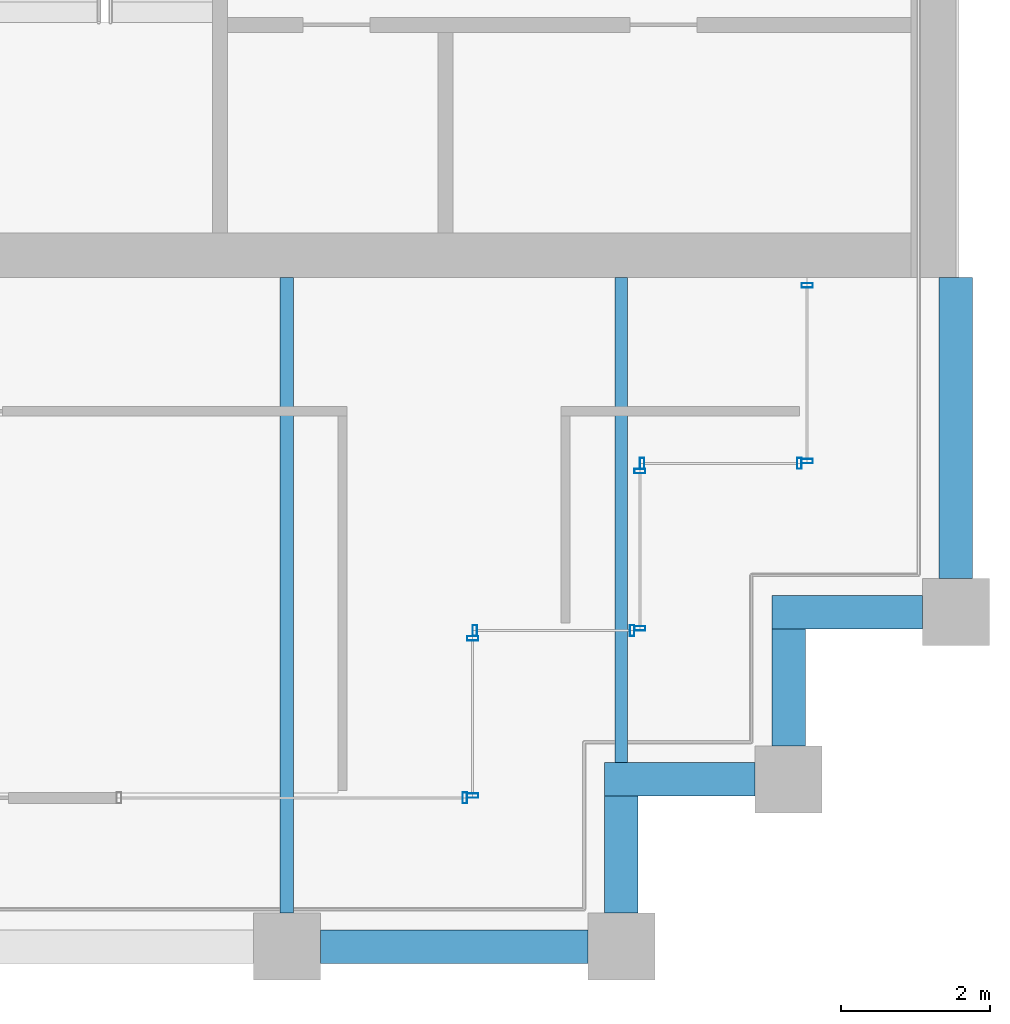
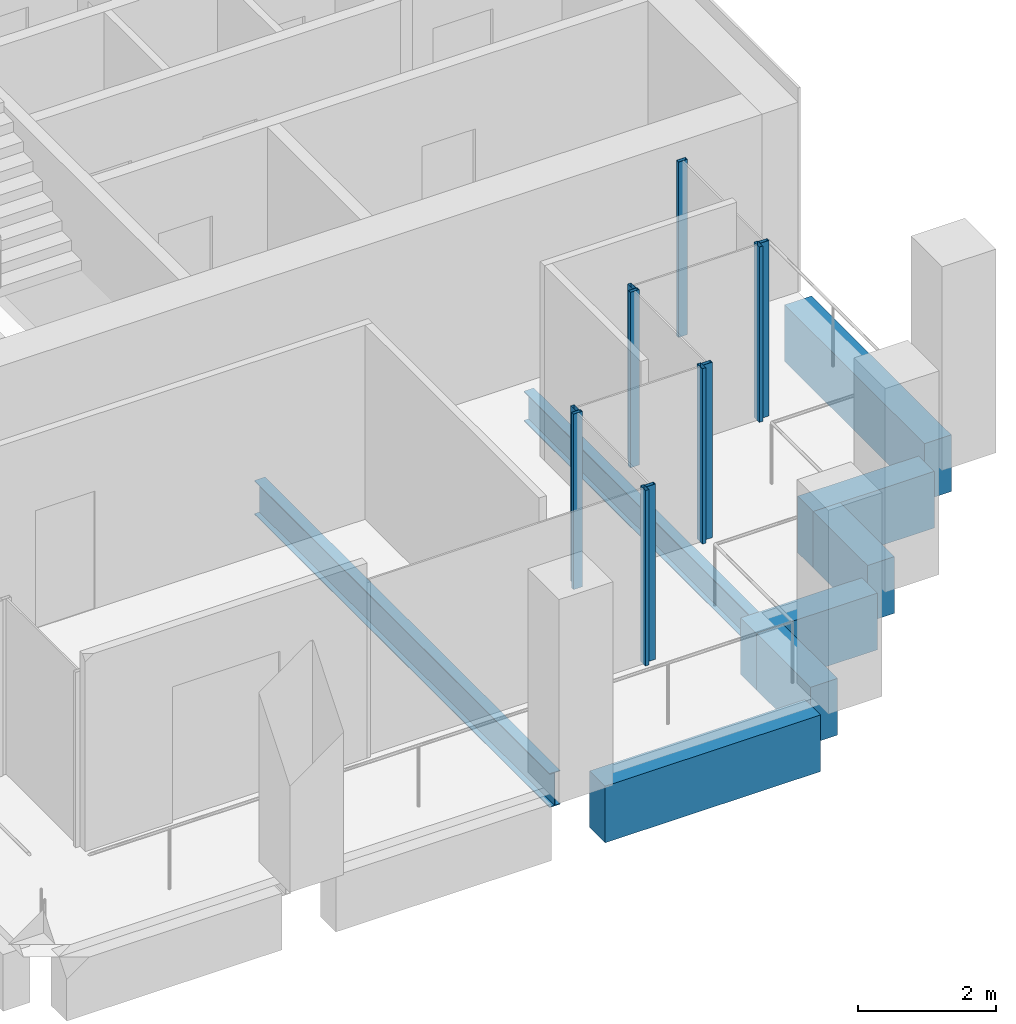
# One storey, part 31 of 40: 11 members, 8 beams, 6 elements without a shape of their own.
"""IFC4 building model written with IfcOpenShell, lengths in metres."""

from ifc_helpers import new_model, si_unit, direction, frame, origin, origin_2d, place, context, subcontext, project, spatial, rectangle, hollow_rectangle, i_section, extrude, material, material_profile, profile_set, type_object, element, aggregate, save


model = new_model("IFC4")

# Units and contexts
model_context = context("Model", 3, precision=1e-05, world=origin(), true_north=direction((0.0, 1.0)))
body_context = subcontext(model_context, "Body", "Model", "MODEL_VIEW")
ifc_project = project(units=[si_unit("LENGTHUNIT", "METRE"), si_unit("AREAUNIT", "SQUARE_METRE"), si_unit("VOLUMEUNIT", "CUBIC_METRE"), si_unit("PLANEANGLEUNIT", "RADIAN"), si_unit("MASSUNIT", "GRAM", prefix="KILO")], contexts=[model_context])

# Site, building, storey
site_placement = place(None, origin())
site = spatial("IfcSite", under=ifc_project, at=site_placement, CompositionType="ELEMENT")
building_placement = place(site_placement, origin())
building = spatial("IfcBuilding", under=site, at=building_placement, Name="Altepetl Exchange Towers", CompositionType="ELEMENT")
storey_placement = place(building_placement, frame((0.0, 0.0, 165.39990234375)))
storey = spatial("IfcBuildingStorey", under=building, at=storey_placement, Name="L41", CompositionType="ELEMENT", Elevation=165.39990234375)

# Beams
ifc_material_1 = material(Name="Steel S355", Category="steel")
ifc_material_profile_1 = material_profile(ifc_material_1, i_section(OverallWidth=0.166015625, OverallDepth=0.529052734375, WebThickness=0.009765625, FlangeThickness=0.013671875, at=origin_2d()), Name="W21X50")
ifc_profile_set_1 = profile_set([ifc_material_profile_1], Name="Steel S355")
beam_type_1 = type_object("IfcBeamType", Name="Floor beam W21X50", PredefinedType="BEAM", material=ifc_profile_set_1)
beam_1_placement = place(storey_placement, frame((112.5, 29.47509765625, -0.414306640625), z_axis=(0.0, 1.0, 0.0), x_axis=(-1.0, 0.0, 0.0)))
element("IfcBeam", 1, at=beam_1_placement, inside=storey, type_object=beam_type_1, Name="bm:B:L41:003", PredefinedType="BEAM", context=body_context, shape_type="SweptSolid", body=[
    extrude(i_section(OverallWidth=0.166015625, OverallDepth=0.529052734375, WebThickness=0.009765625, FlangeThickness=0.013671875, at=origin_2d()), origin(), (0.0, 0.0, 1.0), 6.52490234375),
])
ifc_material_profile_2 = material_profile(ifc_material_1, i_section(OverallWidth=0.177978515625, OverallDepth=0.59912109375, WebThickness=0.010009765625, FlangeThickness=0.0126953125, at=origin_2d()), Name="W24X55")
ifc_profile_set_2 = profile_set([ifc_material_profile_2], Name="Steel S355")
beam_type_2 = type_object("IfcBeamType", Name="Floor beam W24X55", PredefinedType="BEAM", material=ifc_profile_set_2)
beam_2_placement = place(storey_placement, frame((108.0, 27.449951171875, -0.449462890625), z_axis=(0.0, 1.0, 0.0), x_axis=(-1.0, 0.0, 0.0)))
element("IfcBeam", 2, at=beam_2_placement, inside=storey, type_object=beam_type_2, Name="bm:B:L41:002", PredefinedType="BEAM", context=body_context, shape_type="SweptSolid", body=[
    extrude(i_section(OverallWidth=0.177978515625, OverallDepth=0.59912109375, WebThickness=0.010009765625, FlangeThickness=0.0126953125, at=origin_2d()), origin(), (0.0, 0.0, 1.0), 8.550048828125),
])

# Curtain wall, member
ifc_material_2 = material(Name="Aluminium 6063-T6 glazing", Category="aluminium")
curtain_wall_type = type_object("IfcCurtainWallType", Name="Loggia glazing system", PredefinedType="NOTDEFINED", material=ifc_material_2)
curtain_wall_1_placement = place(storey_placement, origin())
curtain_wall_1 = element("IfcCurtainWall", 3, at=curtain_wall_1_placement, inside=storey, type_object=curtain_wall_type, Name="CW1 run", PredefinedType="NOTDEFINED")
ifc_material_3 = material(Name="Aluminium 6063-T6", Category="aluminium")
ifc_material_profile_3 = material_profile(ifc_material_3, hollow_rectangle(XDim=0.06005859375, YDim=0.14990234375, WallThickness=0.0029296875, at=origin_2d()), Name="Mullion 60x150 aluminium")
ifc_profile_set_3 = profile_set([ifc_material_profile_3], Name="Aluminium 6063-T6")
member_type = type_object("IfcMemberType", Name="Mullion 60x150 aluminium", PredefinedType="MULLION", material=ifc_profile_set_3)
member_1_placement = place(storey_placement, frame((110.39501953125, 29.0, 0.0)))
member_1 = element("IfcMember", 4, at=member_1_placement, type_object=member_type, Name="MU1 mullion", PredefinedType="MULLION", context=body_context, shape_type="SweptSolid", body=[
    extrude(hollow_rectangle(XDim=0.06005859375, YDim=0.14990234375, WallThickness=0.0029296875, at=origin_2d()), origin(), (0.0, 0.0, 1.0), 3.10009765625),
])
aggregate(curtain_wall_1, [member_1])

# Curtain wall, members
curtain_wall_2_placement = place(storey_placement, origin())
curtain_wall_2 = element("IfcCurtainWall", 5, at=curtain_wall_2_placement, inside=storey, type_object=curtain_wall_type, Name="CW1 run", PredefinedType="NOTDEFINED")
member_2_placement = place(storey_placement, frame((110.5, 29.030029296875, 0.0), z_axis=(0.0, 0.0, 1.0), x_axis=(0.0, 1.0, 0.0)))
member_2 = element("IfcMember", 6, at=member_2_placement, type_object=member_type, Name="MU1 mullion", PredefinedType="MULLION", context=body_context, shape_type="SweptSolid", body=[
    extrude(hollow_rectangle(XDim=0.06005859375, YDim=0.14990234375, WallThickness=0.0029296875, at=origin_2d()), origin(), (0.0, 0.0, 1.0), 3.10009765625),
])
member_3_placement = place(storey_placement, frame((110.5, 31.14501953125, 0.0), z_axis=(0.0, 0.0, 1.0), x_axis=(0.0, 1.0, 0.0)))
member_3 = element("IfcMember", 7, at=member_3_placement, type_object=member_type, Name="MU1 mullion", PredefinedType="MULLION", context=body_context, shape_type="SweptSolid", body=[
    extrude(hollow_rectangle(XDim=0.06005859375, YDim=0.14990234375, WallThickness=0.0029296875, at=origin_2d()), origin(), (0.0, 0.0, 1.0), 3.10009765625),
])
aggregate(curtain_wall_2, [member_2, member_3])

curtain_wall_3_placement = place(storey_placement, origin())
curtain_wall_3 = element("IfcCurtainWall", 8, at=curtain_wall_3_placement, inside=storey, type_object=curtain_wall_type, Name="CW1 run", PredefinedType="NOTDEFINED")
member_4_placement = place(storey_placement, frame((110.530029296875, 31.25, 0.0)))
member_4 = element("IfcMember", 9, at=member_4_placement, type_object=member_type, Name="MU1 mullion", PredefinedType="MULLION", context=body_context, shape_type="SweptSolid", body=[
    extrude(hollow_rectangle(XDim=0.06005859375, YDim=0.14990234375, WallThickness=0.0029296875, at=origin_2d()), origin(), (0.0, 0.0, 1.0), 3.10009765625),
])
member_5_placement = place(storey_placement, frame((112.64501953125, 31.25, 0.0)))
member_5 = element("IfcMember", 10, at=member_5_placement, type_object=member_type, Name="MU1 mullion", PredefinedType="MULLION", context=body_context, shape_type="SweptSolid", body=[
    extrude(hollow_rectangle(XDim=0.06005859375, YDim=0.14990234375, WallThickness=0.0029296875, at=origin_2d()), origin(), (0.0, 0.0, 1.0), 3.10009765625),
])
aggregate(curtain_wall_3, [member_4, member_5])

curtain_wall_4_placement = place(storey_placement, origin())
curtain_wall_4 = element("IfcCurtainWall", 11, at=curtain_wall_4_placement, inside=storey, type_object=curtain_wall_type, Name="CW1 run", PredefinedType="NOTDEFINED")
member_6_placement = place(storey_placement, frame((112.75, 31.280029296875, 0.0), z_axis=(0.0, 0.0, 1.0), x_axis=(0.0, 1.0, 0.0)))
member_6 = element("IfcMember", 12, at=member_6_placement, type_object=member_type, Name="MU1 mullion", PredefinedType="MULLION", context=body_context, shape_type="SweptSolid", body=[
    extrude(hollow_rectangle(XDim=0.06005859375, YDim=0.14990234375, WallThickness=0.0029296875, at=origin_2d()), origin(), (0.0, 0.0, 1.0), 3.10009765625),
])
member_7_placement = place(storey_placement, frame((112.75, 33.39501953125, 0.0), z_axis=(0.0, 0.0, 1.0), x_axis=(0.0, 1.0, 0.0)))
member_7 = element("IfcMember", 13, at=member_7_placement, type_object=member_type, Name="MU1 mullion", PredefinedType="MULLION", context=body_context, shape_type="SweptSolid", body=[
    extrude(hollow_rectangle(XDim=0.06005859375, YDim=0.14990234375, WallThickness=0.0029296875, at=origin_2d()), origin(), (0.0, 0.0, 1.0), 3.10009765625),
])
aggregate(curtain_wall_4, [member_6, member_7])

curtain_wall_5_placement = place(storey_placement, origin())
curtain_wall_5 = element("IfcCurtainWall", 14, at=curtain_wall_5_placement, inside=storey, type_object=curtain_wall_type, Name="CW1 run", PredefinedType="NOTDEFINED")
member_8_placement = place(storey_placement, frame((112.780029296875, 33.5, 0.0)))
member_8 = element("IfcMember", 15, at=member_8_placement, type_object=member_type, Name="MU1 mullion", PredefinedType="MULLION", context=body_context, shape_type="SweptSolid", body=[
    extrude(hollow_rectangle(XDim=0.06005859375, YDim=0.14990234375, WallThickness=0.0029296875, at=origin_2d()), origin(), (0.0, 0.0, 1.0), 3.10009765625),
])
member_9_placement = place(storey_placement, frame((114.89501953125, 33.5, 0.0)))
member_9 = element("IfcMember", 16, at=member_9_placement, type_object=member_type, Name="MU1 mullion", PredefinedType="MULLION", context=body_context, shape_type="SweptSolid", body=[
    extrude(hollow_rectangle(XDim=0.06005859375, YDim=0.14990234375, WallThickness=0.0029296875, at=origin_2d()), origin(), (0.0, 0.0, 1.0), 3.10009765625),
])
aggregate(curtain_wall_5, [member_8, member_9])

curtain_wall_6_placement = place(storey_placement, origin())
curtain_wall_6 = element("IfcCurtainWall", 17, at=curtain_wall_6_placement, inside=storey, type_object=curtain_wall_type, Name="CW1 run", PredefinedType="NOTDEFINED")
member_10_placement = place(storey_placement, frame((115.0, 33.530029296875, 0.0), z_axis=(0.0, 0.0, 1.0), x_axis=(0.0, 1.0, 0.0)))
member_10 = element("IfcMember", 18, at=member_10_placement, type_object=member_type, Name="MU1 mullion", PredefinedType="MULLION", context=body_context, shape_type="SweptSolid", body=[
    extrude(hollow_rectangle(XDim=0.06005859375, YDim=0.14990234375, WallThickness=0.0029296875, at=origin_2d()), origin(), (0.0, 0.0, 1.0), 3.10009765625),
])
member_11_placement = place(storey_placement, frame((115.0, 35.89501953125, 0.0), z_axis=(0.0, 0.0, 1.0), x_axis=(0.0, 1.0, 0.0)))
member_11 = element("IfcMember", 19, at=member_11_placement, type_object=member_type, Name="MU1 mullion", PredefinedType="MULLION", context=body_context, shape_type="SweptSolid", body=[
    extrude(hollow_rectangle(XDim=0.06005859375, YDim=0.14990234375, WallThickness=0.0029296875, at=origin_2d()), origin(), (0.0, 0.0, 1.0), 3.10009765625),
])
aggregate(curtain_wall_6, [member_10, member_11])

# Beams
ifc_material_4 = material(Name="Concrete C50/60 precast with cantera blanca facing", Category="concrete")
ifc_material_profile_4 = material_profile(ifc_material_4, rectangle(XDim=0.449951171875, YDim=1.0, at=origin_2d()), Name="450 x 1000")
ifc_profile_set_4 = profile_set([ifc_material_profile_4], Name="Concrete C50/60 precast with cantera blanca facing")
beam_type_3 = type_object("IfcBeamType", Name="Spandrel beam 450x1000 cantera blanca", PredefinedType="SPANDREL", material=ifc_profile_set_4)
beam_3_placement = place(storey_placement, frame((117.0, 31.949951171875, -0.64990234375), z_axis=(0.0, 1.0, 0.0), x_axis=(-1.0, 0.0, 0.0)))
element("IfcBeam", 20, at=beam_3_placement, inside=storey, type_object=beam_type_3, Name="sp:B:L41:007", PredefinedType="SPANDREL", context=body_context, shape_type="SweptSolid", body=[
    extrude(rectangle(XDim=0.449951171875, YDim=1.0, at=origin_2d()), origin(), (0.0, 0.0, 1.0), 4.050048828125),
])
ifc_material_5 = material(Name="Concrete C50/60 precast with tezontle facing", Category="concrete")
ifc_material_profile_5 = material_profile(ifc_material_5, rectangle(XDim=0.449951171875, YDim=1.0, at=origin_2d()), Name="450 x 1000")
ifc_profile_set_5 = profile_set([ifc_material_profile_5], Name="Concrete C50/60 precast with tezontle facing")
beam_type_4 = type_object("IfcBeamType", Name="Spandrel beam 450x1000 tezontle", PredefinedType="SPANDREL", material=ifc_profile_set_5)
beam_4_placement = place(storey_placement, frame((108.449951171875, 27.0, -0.64990234375), z_axis=(1.0, 0.0, 0.0), x_axis=(0.0, 1.0, 0.0)))
element("IfcBeam", 21, at=beam_4_placement, inside=storey, type_object=beam_type_4, Name="sp:B:L41:002", PredefinedType="SPANDREL", context=body_context, shape_type="SweptSolid", body=[
    extrude(rectangle(XDim=0.449951171875, YDim=1.0, at=origin_2d()), origin(), (0.0, 0.0, 1.0), 3.60009765625),
])
beam_5_placement = place(storey_placement, frame((112.5, 27.449951171875, -0.64990234375), z_axis=(0.0, 1.0, 0.0), x_axis=(-1.0, 0.0, 0.0)))
element("IfcBeam", 22, at=beam_5_placement, inside=storey, type_object=beam_type_4, Name="sp:B:L41:003", PredefinedType="SPANDREL", context=body_context, shape_type="SweptSolid", body=[
    extrude(rectangle(XDim=0.449951171875, YDim=1.0, at=origin_2d()), origin(), (0.0, 0.0, 1.0), 1.574951171875),
])
beam_6_placement = place(storey_placement, frame((112.27490234375, 29.25, -0.64990234375), z_axis=(1.0, 0.0, 0.0), x_axis=(0.0, 1.0, 0.0)))
element("IfcBeam", 23, at=beam_6_placement, inside=storey, type_object=beam_type_4, Name="sp:B:L41:004", PredefinedType="SPANDREL", context=body_context, shape_type="SweptSolid", body=[
    extrude(rectangle(XDim=0.449951171875, YDim=1.0, at=origin_2d()), origin(), (0.0, 0.0, 1.0), 2.025146484375),
])
beam_7_placement = place(storey_placement, frame((114.75, 29.699951171875, -0.64990234375), z_axis=(0.0, 1.0, 0.0), x_axis=(-1.0, 0.0, 0.0)))
element("IfcBeam", 24, at=beam_7_placement, inside=storey, type_object=beam_type_4, Name="sp:B:L41:005", PredefinedType="SPANDREL", context=body_context, shape_type="SweptSolid", body=[
    extrude(rectangle(XDim=0.449951171875, YDim=1.0, at=origin_2d()), origin(), (0.0, 0.0, 1.0), 1.574951171875),
])
beam_8_placement = place(storey_placement, frame((114.52490234375, 31.5, -0.64990234375), z_axis=(1.0, 0.0, 0.0), x_axis=(0.0, 1.0, 0.0)))
element("IfcBeam", 25, at=beam_8_placement, inside=storey, type_object=beam_type_4, Name="sp:B:L41:006", PredefinedType="SPANDREL", context=body_context, shape_type="SweptSolid", body=[
    extrude(rectangle(XDim=0.449951171875, YDim=1.0, at=origin_2d()), origin(), (0.0, 0.0, 1.0), 2.025146484375),
])

save(model, "model.ifc")
